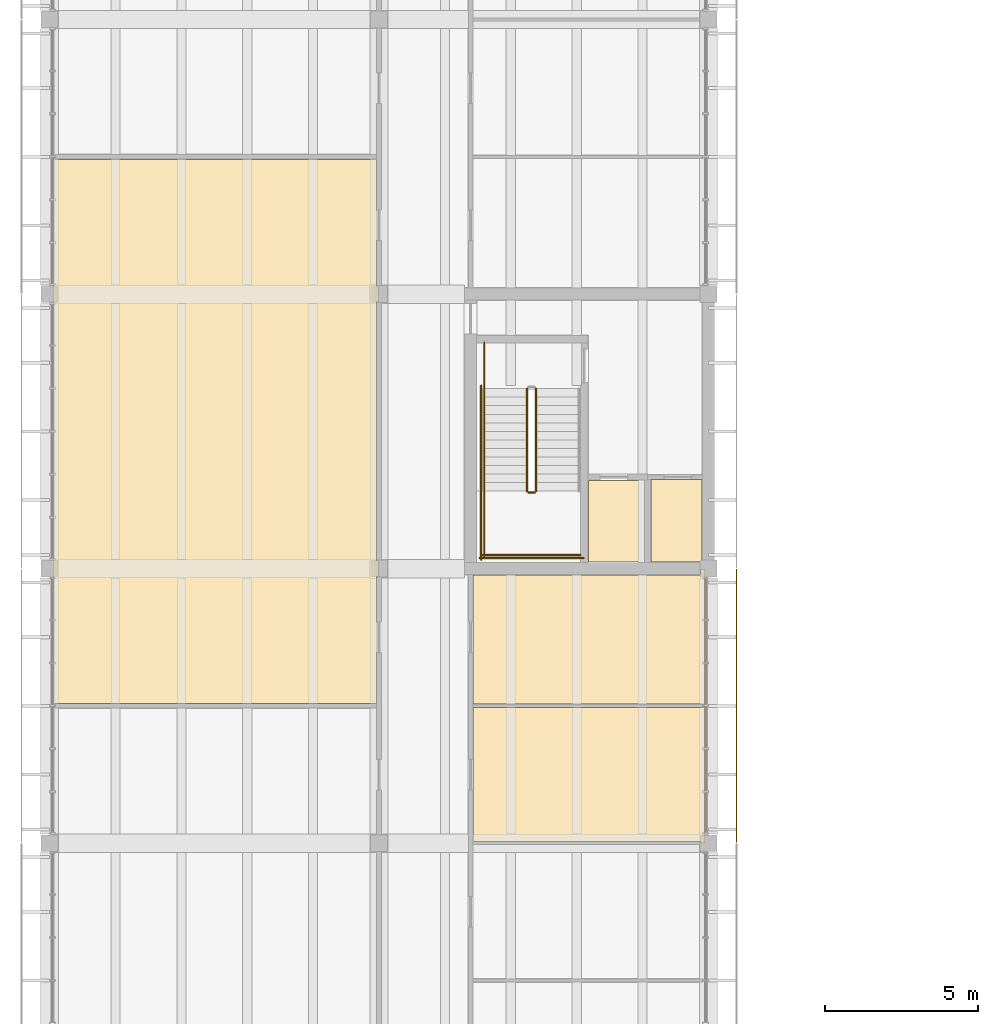
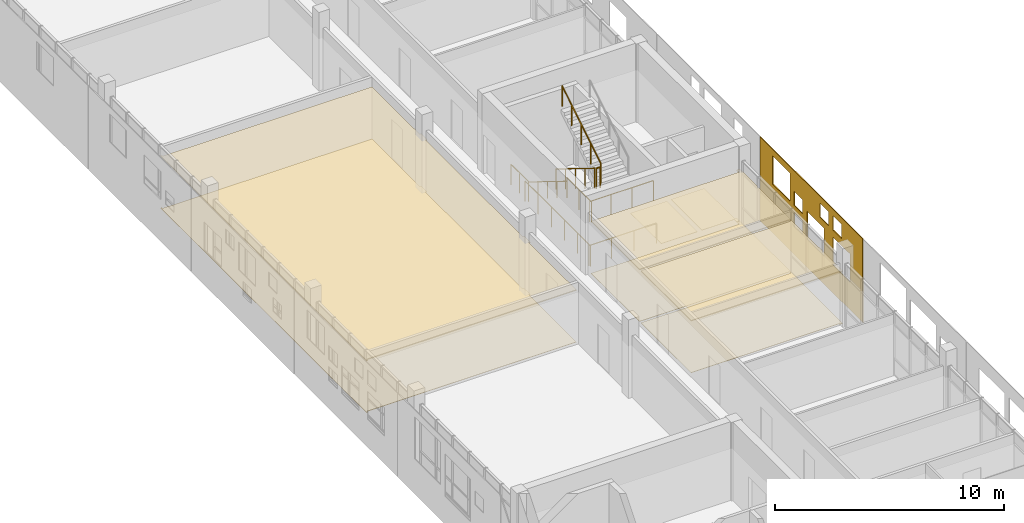
# One storey, part 64 of 74: 9 coverings, 9 railings.
"""IFC4 building model written with IfcOpenShell, lengths in metres."""

from ifc_helpers import new_model, si_unit, direction, frame, origin, origin_2d, place, context, subcontext, project, spatial, polyline, circle, outline, extrude, source, transform, mapped, material, layer, layer_set, type_object, element, save


model = new_model("IFC4")

# Units and contexts
model_context = context("Model", 3, precision=1e-05, world=origin(), true_north=direction((0.0, 1.0)))
body_context = subcontext(model_context, "Body", "Model", "MODEL_VIEW")
ifc_project = project(units=[si_unit("LENGTHUNIT", "METRE"), si_unit("AREAUNIT", "SQUARE_METRE"), si_unit("VOLUMEUNIT", "CUBIC_METRE"), si_unit("PLANEANGLEUNIT", "RADIAN"), si_unit("MASSUNIT", "GRAM", prefix="KILO")], contexts=[model_context])

# Site, building, storey
site_placement = place(None, origin())
site = spatial("IfcSite", under=ifc_project, at=site_placement, CompositionType="ELEMENT")
building_placement = place(site_placement, origin())
building = spatial("IfcBuilding", under=site, at=building_placement, Name="Merrow Basin Faculty of Sciences", CompositionType="ELEMENT")
storey_placement = place(building_placement, frame((0.0, 0.0, 13.5)))
storey = spatial("IfcBuildingStorey", under=building, at=storey_placement, Name="L03", CompositionType="ELEMENT", Elevation=13.5)

# Coverings
ifc_material_1 = material(Name="Carpet tile floor")
ifc_layer_1 = layer(ifc_material_1, 0.02001953125)
ifc_layer_set_1 = layer_set([ifc_layer_1], Name="Carpet tile floor")
covering_type_1 = type_object("IfcCoveringType", Name="Carpet tile floor", PredefinedType="FLOORING", material=ifc_layer_set_1)
covering_1_placement = place(storey_placement, origin())
element("IfcCovering", 1, at=covering_1_placement, inside=storey, type_object=covering_type_1, Name="Floor finish L03-B-008", PredefinedType="FLOORING", context=body_context, shape_type="SweptSolid", body=[
    extrude(outline(polyline([(19.489990234375, 88.2099609375), (17.659912109375, 88.2099609375), (17.659912109375, 90.889892578125), (19.489990234375, 90.889892578125), (19.489990234375, 88.2099609375)])), origin(), (0.0, 0.0, 1.0), 0.02001953125),
])
covering_2_placement = place(storey_placement, origin())
element("IfcCovering", 2, at=covering_2_placement, inside=storey, type_object=covering_type_1, Name="Floor finish L03-B-023", PredefinedType="FLOORING", context=body_context, shape_type="SweptSolid", body=[
    extrude(outline(polyline([(21.489990234375, 83.489990234375), (21.489990234375, 79.010009765625), (21.3349609375, 79.010009765625), (21.3349609375, 79.06005859375), (13.885009765625, 79.06005859375), (13.885009765625, 83.43994140625), (21.429931640625, 83.43994140625), (21.429931640625, 83.489990234375), (21.489990234375, 83.489990234375)])), origin(), (0.0, 0.0, 1.0), 0.02001953125),
])
covering_3_placement = place(storey_placement, origin())
element("IfcCovering", 3, at=covering_3_placement, inside=storey, type_object=covering_type_1, Name="Floor finish L03-B-024", PredefinedType="FLOORING", context=body_context, shape_type="SweptSolid", body=[
    extrude(outline(polyline([(21.489990234375, 87.989990234375), (21.489990234375, 83.510009765625), (21.429931640625, 83.510009765625), (21.429931640625, 83.56005859375), (13.885009765625, 83.56005859375), (13.885009765625, 87.7900390625), (21.3349609375, 87.7900390625), (21.3349609375, 87.989990234375), (21.489990234375, 87.989990234375)])), origin(), (0.0, 0.0, 1.0), 0.02001953125),
])
ifc_material_2 = material(Name="Laboratory sheet vinyl floor")
ifc_layer_2 = layer(ifc_material_2, 0.02001953125)
ifc_layer_set_2 = layer_set([ifc_layer_2], Name="Laboratory sheet vinyl floor")
covering_type_2 = type_object("IfcCoveringType", Name="Laboratory sheet vinyl floor", PredefinedType="FLOORING", material=ifc_layer_set_2)
covering_4_placement = place(storey_placement, origin())
element("IfcCovering", 4, at=covering_4_placement, inside=storey, type_object=covering_type_2, Name="Floor finish L03-B-018", PredefinedType="FLOORING", context=body_context, shape_type="SweptSolid", body=[
    extrude(outline(polyline([(10.715087890625, 101.4150390625), (10.715087890625, 97.264892578125), (10.7900390625, 97.264892578125), (10.7900390625, 96.735107421875), (10.715087890625, 96.735107421875), (10.715087890625, 88.264892578125), (10.7900390625, 88.264892578125), (10.7900390625, 87.735107421875), (10.715087890625, 87.735107421875), (10.715087890625, 83.5849609375), (0.169921875, 83.5849609375), (0.169921875, 83.510009765625), (0.110107421875, 83.510009765625), (0.110107421875, 101.489990234375), (0.169921875, 101.489990234375), (0.169921875, 101.4150390625), (10.715087890625, 101.4150390625)])), origin(), (0.0, 0.0, 1.0), 0.02001953125),
])
ifc_material_3 = material(Name="Sealed concrete floor", Category="concrete")
ifc_layer_3 = layer(ifc_material_3, 0.02001953125)
ifc_layer_set_3 = layer_set([ifc_layer_3], Name="Sealed concrete floor")
covering_type_3 = type_object("IfcCoveringType", Name="Sealed concrete floor", PredefinedType="FLOORING", material=ifc_layer_set_3)
covering_5_placement = place(storey_placement, origin())
element("IfcCovering", 5, at=covering_5_placement, inside=storey, type_object=covering_type_3, Name="Floor finish L03-B-009", PredefinedType="FLOORING", context=body_context, shape_type="SweptSolid", body=[
    extrude(outline(polyline([(21.389892578125, 90.9150390625), (21.389892578125, 88.264892578125), (21.489990234375, 88.264892578125), (21.489990234375, 88.010009765625), (21.3349609375, 88.010009765625), (21.3349609375, 88.2099609375), (19.7099609375, 88.2099609375), (19.7099609375, 90.9150390625), (21.389892578125, 90.9150390625)])), origin(), (0.0, 0.0, 1.0), 0.02001953125),
])

# Railings
ifc_material_4 = material(Name="Steel ASTM A36", Category="steel")
railing_type_1 = type_object("IfcRailingType", Name="Steel guard 1100", PredefinedType="GUARDRAIL", material=ifc_material_4)
railing_1_placement = place(storey_placement, frame((15.64990234375, 93.89990234375, 0.173095703125)))
element("IfcRailing", 6, at=railing_1_placement, inside=storey, type_object=railing_type_1, Name="L03 ST-V4-M stair guard 1", PredefinedType="GUARDRAIL", context=body_context, shape_type="SweptSolid", body=[
    extrude(circle(Radius=0.02392578125, at=origin_2d()), frame((0.0, 0.0, 1.076171875), z_axis=(0.0, -0.850606129759, 0.525803396734), x_axis=(1.0, 0.0, 0.0)), (0.0, 0.0, 1.0), 3.949951171875),
    extrude(circle(Radius=0.02099609375, at=origin_2d()), origin(), (0.0, 0.0, 1.0), 1.052001953125),
    extrude(circle(Radius=0.02099609375, at=origin_2d()), frame((0.0, -0.83984375, 0.519287109375)), (0.0, 0.0, 1.0), 1.052001953125),
    extrude(circle(Radius=0.02099609375, at=origin_2d()), frame((0.0, -1.679931640625, 1.03857421875)), (0.0, 0.0, 1.0), 1.052001953125),
    extrude(circle(Radius=0.02099609375, at=origin_2d()), frame((0.0, -2.52001953125, 1.5576171875)), (0.0, 0.0, 1.0), 1.052001953125),
    extrude(circle(Radius=0.02099609375, at=origin_2d()), frame((0.0, -3.35986328125, 2.076904296875)), (0.0, 0.0, 1.0), 1.052001953125),
])
railing_2_placement = place(storey_placement, frame((15.699951171875, 90.489990234375, 2.25)))
element("IfcRailing", 7, at=railing_2_placement, inside=storey, type_object=railing_type_1, Name="L03 ST-V4-M stair guard 2", PredefinedType="GUARDRAIL", context=body_context, shape_type="SweptSolid", body=[
    extrude(circle(Radius=0.02392578125, at=origin_2d()), frame((0.0, 0.0, 1.076171875), z_axis=(1.0, 0.0, 0.0), x_axis=(0.0, 1.0, 0.0)), (0.0, 0.0, 1.0), 0.199951171875),
    extrude(circle(Radius=0.02099609375, at=origin_2d()), origin(), (0.0, 0.0, 1.0), 1.052001953125),
    extrude(circle(Radius=0.02099609375, at=origin_2d()), frame((0.199951171875, 0.0, 0.0)), (0.0, 0.0, 1.0), 1.052001953125),
])
railing_3_placement = place(storey_placement, frame((14.25, 90.5400390625, 2.25)))
element("IfcRailing", 8, at=railing_3_placement, inside=storey, type_object=railing_type_1, Name="L03 ST-V4-M stair guard 3", PredefinedType="GUARDRAIL", context=body_context, shape_type="SweptSolid", body=[
    extrude(circle(Radius=0.02392578125, at=origin_2d()), frame((0.0, 0.0, 1.076171875), z_axis=(0.0, -1.0, 0.0), x_axis=(1.0, 0.0, 0.0)), (0.0, 0.0, 1.0), 2.14013671875),
    extrude(circle(Radius=0.02099609375, at=origin_2d()), origin(), (0.0, 0.0, 1.0), 1.052001953125),
    extrude(circle(Radius=0.02099609375, at=origin_2d()), frame((0.0, -1.070068359375, 0.0)), (0.0, 0.0, 1.0), 1.052001953125),
    extrude(circle(Radius=0.02099609375, at=origin_2d()), frame((0.0, -2.14013671875, 0.0)), (0.0, 0.0, 1.0), 1.052001953125),
])
railing_4_placement = place(storey_placement, frame((14.199951171875, 88.449951171875, 2.25)))
element("IfcRailing", 9, at=railing_4_placement, inside=storey, type_object=railing_type_1, Name="L03 ST-V4-M stair guard 4", PredefinedType="GUARDRAIL", context=body_context, shape_type="SweptSolid", body=[
    extrude(circle(Radius=0.02392578125, at=origin_2d()), frame((0.0, 0.0, 1.076171875), z_axis=(1.0, 0.0, 0.0), x_axis=(0.0, 1.0, 0.0)), (0.0, 0.0, 1.0), 3.199951171875),
    extrude(circle(Radius=0.02099609375, at=origin_2d()), origin(), (0.0, 0.0, 1.0), 1.052001953125),
    extrude(circle(Radius=0.02099609375, at=origin_2d()), frame((1.066650390625, 0.0, 0.0)), (0.0, 0.0, 1.0), 1.052001953125),
    extrude(circle(Radius=0.02099609375, at=origin_2d()), frame((2.13330078125, 0.0, 0.0)), (0.0, 0.0, 1.0), 1.052001953125),
    extrude(circle(Radius=0.02099609375, at=origin_2d()), frame((3.199951171875, 0.0, 0.0)), (0.0, 0.0, 1.0), 1.052001953125),
])
railing_5_placement = place(storey_placement, frame((15.949951171875, 90.5400390625, 2.423095703125)))
element("IfcRailing", 10, at=railing_5_placement, inside=storey, type_object=railing_type_1, Name="L03 ST-V4-M stair guard 5", PredefinedType="GUARDRAIL", context=body_context, shape_type="SweptSolid", body=[
    extrude(circle(Radius=0.02392578125, at=origin_2d()), frame((0.0, 0.0, 1.076171875), z_axis=(0.0, 0.850606129759, 0.525803396734), x_axis=(-1.0, 0.0, 0.0)), (0.0, 0.0, 1.0), 3.949951171875),
    extrude(circle(Radius=0.02099609375, at=origin_2d()), origin(), (0.0, 0.0, 1.0), 1.052001953125),
    extrude(circle(Radius=0.02099609375, at=origin_2d()), frame((0.0, 0.83984375, 0.519287109375)), (0.0, 0.0, 1.0), 1.052001953125),
    extrude(circle(Radius=0.02099609375, at=origin_2d()), frame((0.0, 1.679931640625, 1.03857421875)), (0.0, 0.0, 1.0), 1.052001953125),
    extrude(circle(Radius=0.02099609375, at=origin_2d()), frame((0.0, 2.52001953125, 1.5576171875)), (0.0, 0.0, 1.0), 1.052001953125),
    extrude(circle(Radius=0.02099609375, at=origin_2d()), frame((0.0, 3.35986328125, 2.076904296875)), (0.0, 0.0, 1.0), 1.052001953125),
])
railing_6_placement = place(storey_placement, frame((14.25, 95.39990234375, 0.0)))
element("IfcRailing", 11, at=railing_6_placement, inside=storey, type_object=railing_type_1, Name="L03 ST-V4-M stair guard 7", PredefinedType="GUARDRAIL", context=body_context, shape_type="SweptSolid", body=[
    extrude(circle(Radius=0.02392578125, at=origin_2d()), frame((0.0, 0.0, 1.076171875), z_axis=(0.0, -1.0, 0.0), x_axis=(1.0, 0.0, 0.0)), (0.0, 0.0, 1.0), 1.5),
    extrude(circle(Radius=0.02099609375, at=origin_2d()), origin(), (0.0, 0.0, 1.0), 1.052001953125),
    extrude(circle(Radius=0.02099609375, at=origin_2d()), frame((0.0, -0.75, 0.0)), (0.0, 0.0, 1.0), 1.052001953125),
    extrude(circle(Radius=0.02099609375, at=origin_2d()), frame((0.0, -1.5, 0.0)), (0.0, 0.0, 1.0), 1.052001953125),
])
railing_7_placement = place(storey_placement, frame((14.14990234375, 94.0, 0.0)))
element("IfcRailing", 12, at=railing_7_placement, inside=storey, type_object=railing_type_1, Name="L03 ST-V4-M stair guard 8", PredefinedType="GUARDRAIL", context=body_context, shape_type="SweptSolid", body=[
    extrude(circle(Radius=0.02392578125, at=origin_2d()), frame((0.0, 0.0, 1.076171875), z_axis=(0.0, -1.0, 0.0), x_axis=(1.0, 0.0, 0.0)), (0.0, 0.0, 1.0), 5.699951171875),
    extrude(circle(Radius=0.02099609375, at=origin_2d()), origin(), (0.0, 0.0, 1.0), 1.052001953125),
    extrude(circle(Radius=0.02099609375, at=origin_2d()), frame((0.0, -1.139892578125, 0.0)), (0.0, 0.0, 1.0), 1.052001953125),
    extrude(circle(Radius=0.02099609375, at=origin_2d()), frame((0.0, -2.280029296875, 0.0)), (0.0, 0.0, 1.0), 1.052001953125),
    extrude(circle(Radius=0.02099609375, at=origin_2d()), frame((0.0, -3.419921875, 0.0)), (0.0, 0.0, 1.0), 1.052001953125),
    extrude(circle(Radius=0.02099609375, at=origin_2d()), frame((0.0, -4.56005859375, 0.0)), (0.0, 0.0, 1.0), 1.052001953125),
    extrude(circle(Radius=0.02099609375, at=origin_2d()), frame((0.0, -5.699951171875, 0.0)), (0.0, 0.0, 1.0), 1.052001953125),
])
railing_8_placement = place(storey_placement, frame((14.10009765625, 88.35009765625, 0.0)))
element("IfcRailing", 13, at=railing_8_placement, inside=storey, type_object=railing_type_1, Name="L03 ST-V4-M stair guard 9", PredefinedType="GUARDRAIL", context=body_context, shape_type="SweptSolid", body=[
    extrude(circle(Radius=0.02392578125, at=origin_2d()), frame((0.0, 0.0, 1.076171875), z_axis=(1.0, 0.0, 0.0), x_axis=(0.0, 1.0, 0.0)), (0.0, 0.0, 1.0), 3.39990234375),
    extrude(circle(Radius=0.02099609375, at=origin_2d()), origin(), (0.0, 0.0, 1.0), 1.052001953125),
    extrude(circle(Radius=0.02099609375, at=origin_2d()), frame((1.13330078125, 0.0, 0.0)), (0.0, 0.0, 1.0), 1.052001953125),
    extrude(circle(Radius=0.02099609375, at=origin_2d()), frame((2.2666015625, 0.0, 0.0)), (0.0, 0.0, 1.0), 1.052001953125),
    extrude(circle(Radius=0.02099609375, at=origin_2d()), frame((3.39990234375, 0.0, 0.0)), (0.0, 0.0, 1.0), 1.052001953125),
])
ifc_material_5 = material(Name="Steel ASTM A36", Category="steel")
railing_type_2 = type_object("IfcRailingType", Name="Steel handrail 900", PredefinedType="HANDRAIL", material=ifc_material_5)
railing_9_placement = place(storey_placement, frame((14.25, 93.89990234375, 0.173095703125)))
element("IfcRailing", 14, at=railing_9_placement, inside=storey, type_object=railing_type_2, Name="L03 ST-V4-M stair handrail 1", PredefinedType="HANDRAIL", context=body_context, shape_type="SweptSolid", body=[
    extrude(circle(Radius=0.02392578125, at=origin_2d()), frame((0.0, 0.0, 0.8759765625), z_axis=(0.0, -0.850606129759, 0.525803396734), x_axis=(1.0, 0.0, 0.0)), (0.0, 0.0, 1.0), 3.949951171875),
    extrude(circle(Radius=0.02099609375, at=origin_2d()), origin(), (0.0, 0.0, 1.0), 0.851806640625),
    extrude(circle(Radius=0.02099609375, at=origin_2d()), frame((0.0, -0.83984375, 0.519287109375)), (0.0, 0.0, 1.0), 0.851806640625),
    extrude(circle(Radius=0.02099609375, at=origin_2d()), frame((0.0, -1.679931640625, 1.03857421875)), (0.0, 0.0, 1.0), 0.851806640625),
    extrude(circle(Radius=0.02099609375, at=origin_2d()), frame((0.0, -2.52001953125, 1.5576171875)), (0.0, 0.0, 1.0), 0.851806640625),
    extrude(circle(Radius=0.02099609375, at=origin_2d()), frame((0.0, -3.35986328125, 2.076904296875)), (0.0, 0.0, 1.0), 0.851806640625),
])

# Coverings
ifc_material_6 = material(Name="Mineral fibre ceiling tile")
ifc_layer_4 = layer(ifc_material_6, 0.050048828125)
ifc_layer_set_4 = layer_set([ifc_layer_4], Name="Suspended acoustic ceiling tile")
covering_type_4 = type_object("IfcCoveringType", Name="Suspended acoustic ceiling tile", PredefinedType="CEILING", material=ifc_layer_set_4)
covering_6_placement = place(storey_placement, frame((0.0, 0.0, 2.75)))
element("IfcCovering", 15, at=covering_6_placement, inside=storey, type_object=covering_type_4, Name="Ceiling L03-B-018", PredefinedType="CEILING", context=body_context, shape_type="SweptSolid", body=[
    extrude(outline(polyline([(10.715087890625, 101.4150390625), (10.715087890625, 97.264892578125), (10.7900390625, 97.264892578125), (10.7900390625, 96.735107421875), (10.715087890625, 96.735107421875), (10.715087890625, 88.264892578125), (10.7900390625, 88.264892578125), (10.7900390625, 87.735107421875), (10.715087890625, 87.735107421875), (10.715087890625, 83.5849609375), (0.169921875, 83.5849609375), (0.169921875, 83.510009765625), (0.110107421875, 83.510009765625), (0.110107421875, 101.489990234375), (0.169921875, 101.489990234375), (0.169921875, 101.4150390625), (10.715087890625, 101.4150390625)])), origin(), (0.0, 0.0, 1.0), 0.050048828125),
])
covering_7_placement = place(storey_placement, frame((0.0, 0.0, 2.75)))
element("IfcCovering", 16, at=covering_7_placement, inside=storey, type_object=covering_type_4, Name="Ceiling L03-B-023", PredefinedType="CEILING", context=body_context, shape_type="SweptSolid", body=[
    extrude(outline(polyline([(21.489990234375, 83.489990234375), (21.489990234375, 79.010009765625), (21.3349609375, 79.010009765625), (21.3349609375, 79.06005859375), (13.885009765625, 79.06005859375), (13.885009765625, 83.43994140625), (21.429931640625, 83.43994140625), (21.429931640625, 83.489990234375), (21.489990234375, 83.489990234375)])), origin(), (0.0, 0.0, 1.0), 0.050048828125),
])
covering_8_placement = place(storey_placement, frame((0.0, 0.0, 2.75)))
element("IfcCovering", 17, at=covering_8_placement, inside=storey, type_object=covering_type_4, Name="Ceiling L03-B-024", PredefinedType="CEILING", context=body_context, shape_type="SweptSolid", body=[
    extrude(outline(polyline([(21.489990234375, 87.989990234375), (21.489990234375, 83.510009765625), (21.429931640625, 83.510009765625), (21.429931640625, 83.56005859375), (13.885009765625, 83.56005859375), (13.885009765625, 87.7900390625), (21.3349609375, 87.7900390625), (21.3349609375, 87.989990234375), (21.489990234375, 87.989990234375)])), origin(), (0.0, 0.0, 1.0), 0.050048828125),
])
ifc_material_7 = material(Name="White powder-coated aluminium", Category="aluminium")
ifc_layer_5 = layer(ifc_material_7, 0.0400390625)
ifc_layer_set_5 = layer_set([ifc_layer_5], Name="Perforated panel 9000 x 4500")
covering_type_5 = type_object("IfcCoveringType", Name="Perforated panel 9000 x 4500", PredefinedType="CLADDING", material=ifc_layer_set_5)
shared_shape = source(origin(), body_context, "Body", "SweptSolid", [
    extrude(outline(polyline([(0.02001953125, 0.02001953125), (8.97998046875, 0.02001953125), (8.97998046875, 4.47998046875), (0.02001953125, 4.47998046875), (0.02001953125, 0.02001953125)]), holes=[polyline([(6.375, 1.5), (7.875, 1.5), (7.875, 3.0), (6.375, 3.0), (6.375, 1.5)]), polyline([(4.125, 1.5), (5.625, 1.5), (5.625, 3.0), (4.125, 3.0), (4.125, 1.5)]), polyline([(3.0, 1.5), (3.75, 1.5), (3.75, 2.25), (3.0, 2.25), (3.0, 1.5)]), polyline([(3.0, 2.625), (3.75, 2.625), (3.75, 3.375), (3.0, 3.375), (3.0, 2.625)]), polyline([(1.125, 2.625), (2.625, 2.625), (2.625, 4.125), (1.125, 4.125), (1.125, 2.625)]), polyline([(6.375, 3.375), (7.125, 3.375), (7.125, 4.125), (6.375, 4.125), (6.375, 3.375)]), polyline([(5.25, 3.375), (6.0, 3.375), (6.0, 4.125), (5.25, 4.125), (5.25, 3.375)])]), origin(), (0.0, 0.0, 1.0), 0.0400390625),
])
covering_9_placement = place(storey_placement, frame((22.5400390625, 88.0, -0.320068359375), z_axis=(-1.0, 0.0, 0.0), x_axis=(0.0, -1.0, 0.0)))
element("IfcCovering", 18, at=covering_9_placement, inside=storey, type_object=covering_type_5, Name="Perforated panel EL03-03", PredefinedType="CLADDING", context=body_context, shape_type="MappedRepresentation", body=[
    mapped(shared_shape, transform((0.0, 0.0, 0.0), scale=1.0)),
])

save(model, "model.ifc")
